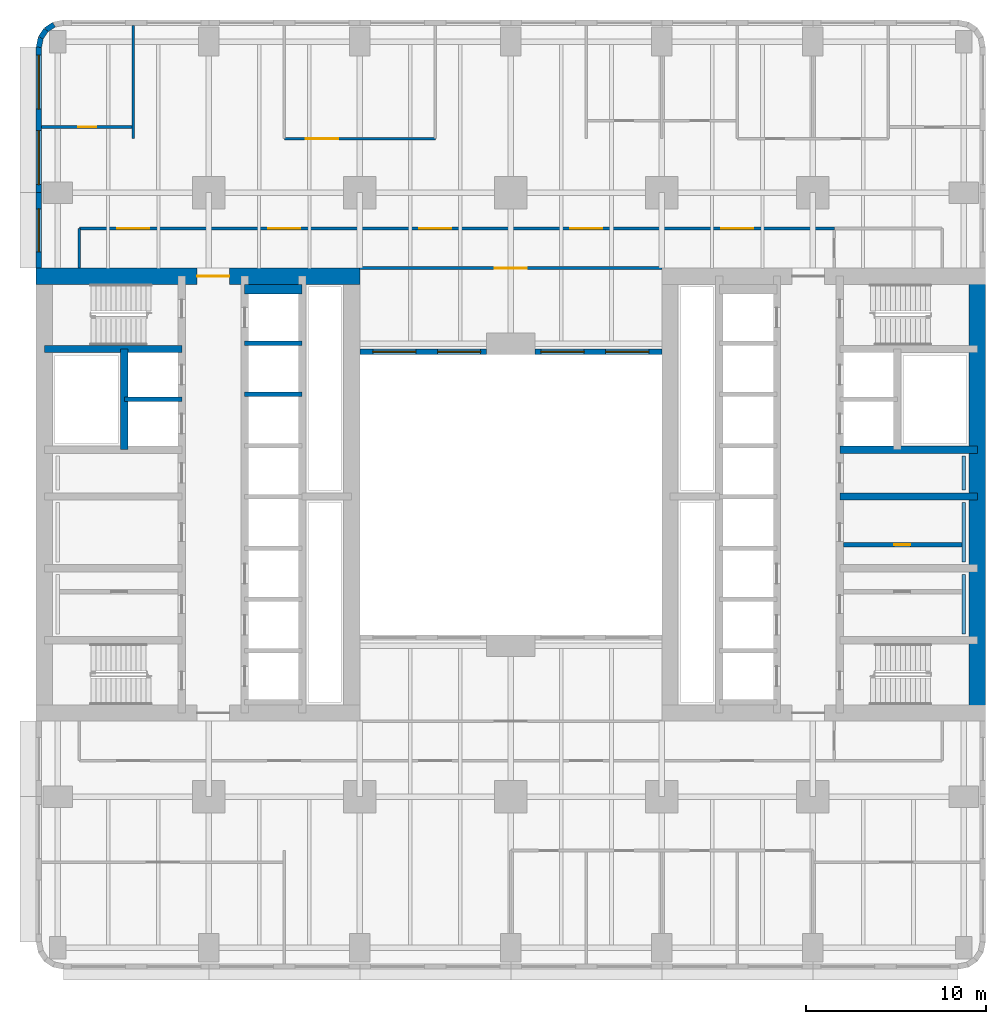
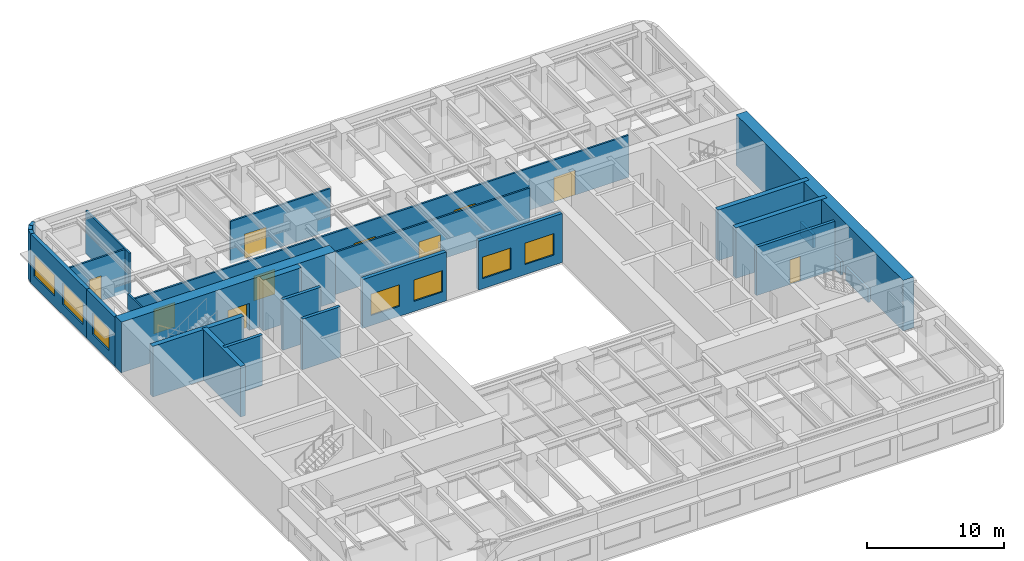
# One storey, part 6 of 14: 27 walls, 10 doors, 7 windows, 17 openings.
"""IFC4 building model written with IfcOpenShell, lengths in metres."""

import ifcopenshell
import ifcopenshell.guid

model = None  # the IFC model being written
_history = None  # IfcOwnerHistory: only IFC2X3 demands one
_inside = {}  # id of a spatial element -> (the spatial element, [elements in it])
_under = {}  # id of a project, library or spatial element -> (it, [spatial elements below it])
_declared = {}  # id of a project -> (the project, [libraries it declares])
_typed = {}  # id of a type object -> (the type object, [elements of that type])
_made_of = {}  # id of a material, layer set ... -> (it, [elements and type objects made of it])


def new_model(schema):
    """Start an empty IFC model of exactly this schema.

    Asked for "IFC4X3", IfcOpenShell would pick the latest addendum, in which some entities
    have other attributes; the version numbers below select the first issue.
    IFC2X3 requires an IfcOwnerHistory on every rooted entity: one is made here for all.
    """
    global model, _history
    if schema == "IFC4X3":
        model = ifcopenshell.file(schema_version=(4, 3, 0, 0))
    else:
        model = ifcopenshell.file(schema=schema)
    _inside.clear()
    _under.clear()
    _declared.clear()
    _typed.clear()
    _made_of.clear()
    _history = None
    if model.schema == "IFC2X3":
        org = make("IfcOrganization", Name="unknown")
        user = make(
            "IfcPersonAndOrganization",
            ThePerson=make("IfcPerson", FamilyName="unknown"),
            TheOrganization=org,
        )
        app = make(
            "IfcApplication",
            ApplicationDeveloper=org,
            Version="unknown",
            ApplicationFullName="unknown",
            ApplicationIdentifier="unknown",
        )
        _history = make(
            "IfcOwnerHistory",
            OwningUser=user,
            OwningApplication=app,
            ChangeAction="ADDED",
            CreationDate=0,
        )
    return model


def make(cls, **values):
    """One entity of the class cls with the attributes given. An attribute that is None is left unset."""
    return model.create_entity(
        cls, **{name: value for name, value in values.items() if value is not None}
    )


def rooted(cls, **values):
    """An entity with a GlobalId (a new one), such as an element, a storey or a relation."""
    return make(cls, GlobalId=ifcopenshell.guid.new(), OwnerHistory=_history, **values)


def si_unit(unit_type, name, prefix=None):
    """IfcSIUnit, for example si_unit("LENGTHUNIT", "METRE", prefix="MILLI")."""
    return make("IfcSIUnit", UnitType=unit_type, Prefix=prefix, Name=name)


def assignment(units):
    """IfcUnitAssignment: the units of a project."""
    return None if units is None else make("IfcUnitAssignment", Units=units)


def point(xyz):
    """IfcCartesianPoint."""
    return None if xyz is None else make("IfcCartesianPoint", Coordinates=xyz)


def direction(xyz):
    """IfcDirection."""
    return None if xyz is None else make("IfcDirection", DirectionRatios=xyz)


def frame(location, z_axis=None, x_axis=None):
    """IfcAxis2Placement3D, a coordinate frame: its origin and axes. An axis left out is left unset."""
    return make(
        "IfcAxis2Placement3D",
        Location=point(location),
        Axis=direction(z_axis),
        RefDirection=direction(x_axis),
    )


def frame_2d(location, x_axis=None):
    """IfcAxis2Placement2D, a coordinate frame in the plane: its origin and x axis."""
    return make(
        "IfcAxis2Placement2D", Location=point(location), RefDirection=direction(x_axis)
    )


def origin():
    """The frame at (0, 0, 0) with its axes left unset."""
    return frame((0.0, 0.0, 0.0))


def place(relative_to, where):
    """IfcLocalPlacement: puts the frame where relative to a parent placement (None: the world)."""
    return make(
        "IfcLocalPlacement", PlacementRelTo=relative_to, RelativePlacement=where
    )


def context(
    kind, dimensions, precision=None, world=None, true_north=None, identifier=None
):
    """IfcGeometricRepresentationContext, for example the 3D "Model" context."""
    return make(
        "IfcGeometricRepresentationContext",
        ContextIdentifier=identifier,
        ContextType=kind,
        CoordinateSpaceDimension=dimensions,
        Precision=precision,
        WorldCoordinateSystem=world,
        TrueNorth=true_north,
    )


def subcontext(parent, identifier, kind, view, scale=None):
    """IfcGeometricRepresentationSubContext, for example "Body" below "Model"."""
    return make(
        "IfcGeometricRepresentationSubContext",
        ContextIdentifier=identifier,
        ContextType=kind,
        ParentContext=parent,
        TargetScale=scale,
        TargetView=view,
    )


def project(units=None, contexts=None):
    """IfcProject with its units and contexts."""
    return rooted(
        "IfcProject",
        Name="project",
        RepresentationContexts=contexts,
        UnitsInContext=assignment(units),
    )


def spatial(cls, under=None, at=None, **own):
    """A site, building, storey or space (cls), placed at a placement, below another one or the project."""
    s = rooted(cls, ObjectPlacement=at, **own)
    if under is not None:
        _under.setdefault(under.id(), (under, []))[1].append(s)
    return s


def profile(cls, at=None, kind="AREA", **sizes):
    """A parametric profile (cls). Its sizes go by their IFC names, for example OverallWidth=200.0."""
    return make(cls, ProfileType=kind, Position=at, **sizes)


def rectangle(**sizes):
    """IfcRectangleProfileDef."""
    return profile("IfcRectangleProfileDef", **sizes)


def extrude(swept, where, along, depth):
    """IfcExtrudedAreaSolid: the profile swept, set in the frame where, extruded along a direction by depth."""
    return make(
        "IfcExtrudedAreaSolid",
        SweptArea=swept,
        Position=where,
        ExtrudedDirection=direction(along),
        Depth=depth,
    )


def shape(context_of_items, identifier, shape_type, items):
    """IfcShapeRepresentation: the items that make up one representation, for example the "Body"."""
    return make(
        "IfcShapeRepresentation",
        ContextOfItems=context_of_items,
        RepresentationIdentifier=identifier,
        RepresentationType=shape_type,
        Items=items,
    )


def material(Name=None, Category=None):
    """IfcMaterial."""
    return make("IfcMaterial", Name=Name, Category=Category)


def layer(
    of_material, thickness, ventilated=None, Name=None, Category=None, Priority=None
):
    """IfcMaterialLayer: one layer of a wall or slab, of a material (None: an air gap)."""
    return make(
        "IfcMaterialLayer",
        Material=of_material,
        LayerThickness=thickness,
        IsVentilated=ventilated,
        Name=Name,
        Category=Category,
        Priority=Priority,
    )


def layer_set(layers, Name=None):
    """IfcMaterialLayerSet."""
    return make("IfcMaterialLayerSet", MaterialLayers=layers, LayerSetName=Name)


def made_of(thing, what):
    """Note that an element or type object is made of a material, layer set ...; save() writes the relation."""
    if what is not None:
        _made_of.setdefault(what.id(), (what, []))[1].append(thing)
    return thing


def type_object(cls, material=None, **own):
    """A type object (cls), such as IfcWallType, which elements share."""
    return made_of(rooted(cls, **own), material)


def element(
    cls,
    number,
    at=None,
    inside=None,
    cuts=None,
    type_object=None,
    material=None,
    context=None,
    identifier="Body",
    shape_type=None,
    held_by="IfcProductDefinitionShape",
    body=None,
    shapes=None,
    **own,
):
    """One element of the class cls, such as IfcWall. Its Tag is "e" and its number.

    at: its placement. inside: the storey or other place that contains it. cuts: it is an
    opening in that element (IfcRelVoidsElement). A single representation is given by context,
    identifier, shape_type and body (its items); several are given by shapes. held_by: the class
    of the entity that holds the representations. save() writes the other relations.
    """
    e = rooted(cls, Tag="e%d" % number, ObjectPlacement=at, **own)
    if body is not None:
        shapes = [shape(context, identifier, shape_type, body)]
    if shapes is not None:
        e.Representation = make(held_by, Representations=shapes)
    if inside is not None:
        _inside.setdefault(inside.id(), (inside, []))[1].append(e)
    if cuts is not None:
        rooted(
            "IfcRelVoidsElement", RelatingBuildingElement=cuts, RelatedOpeningElement=e
        )
    if type_object is not None:
        _typed.setdefault(type_object.id(), (type_object, []))[1].append(e)
    return made_of(e, material)


def fill(opening, filler):
    """IfcRelFillsElement: the door or window that sits in an opening."""
    return rooted(
        "IfcRelFillsElement",
        RelatingOpeningElement=opening,
        RelatedBuildingElement=filler,
    )


def aggregate(whole, parts):
    """IfcRelAggregates: a whole, such as a stair, and the parts it consists of."""
    return rooted("IfcRelAggregates", RelatingObject=whole, RelatedObjects=parts)


def save(model, path):
    """Write the relations noted so far, then the file.

    IfcRelAggregates (storeys below a building ...), IfcRelContainedInSpatialStructure (elements
    in a storey), IfcRelDefinesByType, IfcRelAssociatesMaterial and IfcRelDeclares: one each for
    every whole, place, type object, material and project.
    """
    for whole, parts in _under.values():
        aggregate(whole, parts)
    for where, things in _inside.values():
        rooted(
            "IfcRelContainedInSpatialStructure",
            RelatedElements=things,
            RelatingStructure=where,
        )
    for kind, things in _typed.values():
        rooted("IfcRelDefinesByType", RelatedObjects=things, RelatingType=kind)
    for what, things in _made_of.values():
        rooted("IfcRelAssociatesMaterial", RelatedObjects=things, RelatingMaterial=what)
    for by, libraries in _declared.values():
        rooted("IfcRelDeclares", RelatingContext=by, RelatedDefinitions=libraries)
    model.write(path)


model = new_model("IFC4")

# Units and contexts
model_context = context("Model", 3, precision=1e-05, world=origin(), true_north=direction((0.0, 1.0)))
body_context = subcontext(model_context, "Body", "Model", "MODEL_VIEW")
ifc_project = project(units=[si_unit("LENGTHUNIT", "METRE"), si_unit("AREAUNIT", "SQUARE_METRE"), si_unit("VOLUMEUNIT", "CUBIC_METRE"), si_unit("PLANEANGLEUNIT", "RADIAN"), si_unit("MASSUNIT", "GRAM", prefix="KILO")], contexts=[model_context])

# Site, building, storey
site_placement = place(None, origin())
site = spatial("IfcSite", under=ifc_project, at=site_placement, CompositionType="ELEMENT")
building_placement = place(site_placement, origin())
building = spatial("IfcBuilding", under=site, at=building_placement, Name="Claustro Exchange Tower", CompositionType="ELEMENT")
storey_placement = place(building_placement, frame((0.0, 0.0, 36.89990234375)))
storey = spatial("IfcBuildingStorey", under=building, at=storey_placement, Name="L08", CompositionType="ELEMENT", Elevation=36.89990234375)

# Wall, opening, door
ifc_material_1 = material(Name="Gypsum board on steel studs", Category="steel")
ifc_layer_1 = layer(ifc_material_1, 0.14990234375)
ifc_layer_set_1 = layer_set([ifc_layer_1], Name="Gypsum board on steel studs")
wall_type_1 = type_object("IfcWallType", Name="P1 150 plasterboard partition", PredefinedType="PARTITIONING", material=ifc_layer_set_1)
wall_1_placement = place(storey_placement, frame((-0.902099609375, 45.64990234375, 0.0), z_axis=(0.0, 0.0, 1.0), x_axis=(1.0, 0.0, 0.0)))
wall_1 = element("IfcWall", 1, at=wall_1_placement, inside=storey, type_object=wall_type_1, Name="Partition P1 L08", PredefinedType="PARTITIONING", context=body_context, shape_type="SweptSolid", body=[
    extrude(rectangle(XDim=5.028076171875, YDim=0.14990234375, at=frame_2d((2.51416015625, 0.0))), origin(), (0.0, 0.0, 1.0), 3.840087890625),
])
opening_1_placement = place(wall_1_placement, frame((2.052001953125, 0.0, 0.0)))
opening_1 = element("IfcOpeningElement", 2, at=opening_1_placement, cuts=wall_1, Name="Opening D1", PredefinedType="OPENING", context=body_context, shape_type="SweptSolid", body=[
    extrude(rectangle(XDim=1.0, YDim=2.199951171875, at=frame_2d((0.5, 1.10009765625))), frame((0.0, 0.0849609375, 0.0), z_axis=(0.0, -1.0, 0.0), x_axis=(1.0, 0.0, 0.0)), (0.0, 0.0, 1.0), 0.169921875),
])
ifc_material_2 = material(Name="Timber door, oak veneer", Category="wood")
door_type_1 = type_object("IfcDoorType", Name="D1 1000 x 2200 single door", OperationType="SINGLE_SWING_LEFT", PredefinedType="DOOR", material=ifc_material_2)
door_1_placement = place(opening_1_placement, origin())
door_1 = element("IfcDoor", 3, at=door_1_placement, inside=storey, type_object=door_type_1, Name="Door D1 L08", OperationType="SINGLE_SWING_RIGHT", OverallHeight=2.199951171875, OverallWidth=1.0, PredefinedType="DOOR", context=body_context, shape_type="SweptSolid", body=[
    extrude(rectangle(XDim=1.0, YDim=2.199951171875, at=frame_2d((0.5, 1.10009765625))), frame((0.0, 0.02490234375, 0.0), z_axis=(0.0, -1.0, 0.0), x_axis=(1.0, 0.0, 0.0)), (0.0, 0.0, 1.0), 0.050048828125),
])
fill(opening_1, door_1)

# Wall
wall_2_placement = place(storey_placement, frame((4.199951171875, 45.0, 0.0), z_axis=(0.0, 0.0, 1.0), x_axis=(0.0, 1.0, 0.0)))
element("IfcWall", 4, at=wall_2_placement, inside=storey, type_object=wall_type_1, Name="Partition P1 L08", PredefinedType="PARTITIONING", context=body_context, shape_type="SweptSolid", body=[
    extrude(rectangle(XDim=6.302001953125, YDim=0.14990234375, at=frame_2d((3.15087890625, 0.0))), origin(), (0.0, 0.0, 1.0), 3.840087890625),
])

# Wall, opening, door
wall_3_placement = place(storey_placement, frame((12.60009765625, 45.0, 0.0), z_axis=(0.0, 0.0, 1.0), x_axis=(1.0, 0.0, 0.0)))
wall_3 = element("IfcWall", 5, at=wall_3_placement, inside=storey, type_object=wall_type_1, Name="Partition P1 L08", PredefinedType="PARTITIONING", context=body_context, shape_type="SweptSolid", body=[
    extrude(rectangle(XDim=8.39990234375, YDim=0.14990234375, at=frame_2d((4.199951171875, 0.0))), origin(), (0.0, 0.0, 1.0), 3.739990234375),
])
opening_2_placement = place(wall_3_placement, frame((1.199951171875, 0.0, 0.0)))
opening_2 = element("IfcOpeningElement", 6, at=opening_2_placement, cuts=wall_3, Name="Opening D2", PredefinedType="OPENING", context=body_context, shape_type="SweptSolid", body=[
    extrude(rectangle(XDim=1.800048828125, YDim=2.199951171875, at=frame_2d((0.89990234375, 1.10009765625))), frame((0.0, 0.0849609375, 0.0), z_axis=(0.0, -1.0, 0.0), x_axis=(1.0, 0.0, 0.0)), (0.0, 0.0, 1.0), 0.169921875),
])
ifc_material_3 = material(Name="Timber door, oak veneer", Category="wood")
door_type_2 = type_object("IfcDoorType", Name="D2 1800 x 2200 double door", OperationType="DOUBLE_DOOR_SINGLE_SWING", PredefinedType="DOOR", material=ifc_material_3)
door_2_placement = place(opening_2_placement, origin())
door_2 = element("IfcDoor", 7, at=door_2_placement, inside=storey, type_object=door_type_2, Name="Double door D2 L08", OperationType="DOUBLE_DOOR_SINGLE_SWING", OverallHeight=2.199951171875, OverallWidth=1.800048828125, PredefinedType="DOOR", context=body_context, shape_type="SweptSolid", body=[
    extrude(rectangle(XDim=1.800048828125, YDim=2.199951171875, at=frame_2d((0.89990234375, 1.10009765625))), frame((0.0, 0.02490234375, 0.0), z_axis=(0.0, -1.0, 0.0), x_axis=(1.0, 0.0, 0.0)), (0.0, 0.0, 1.0), 0.050048828125),
])
fill(opening_2, door_2)

# Wall, openings, doors
wall_4_placement = place(storey_placement, frame((1.199951171875, 40.0, 0.0), z_axis=(0.0, 0.0, 1.0), x_axis=(1.0, 0.0, 0.0)))
wall_4 = element("IfcWall", 8, at=wall_4_placement, inside=storey, type_object=wall_type_1, Name="Partition P1 L08", PredefinedType="PARTITIONING", context=body_context, shape_type="SweptSolid", body=[
    extrude(rectangle(XDim=42.001953125, YDim=0.14990234375, at=frame_2d((21.0009765625, 0.0))), origin(), (0.0, 0.0, 1.0), 3.739990234375),
])
opening_3_placement = place(wall_4_placement, frame((2.10009765625, 0.0, 0.0)))
opening_3 = element("IfcOpeningElement", 9, at=opening_3_placement, cuts=wall_4, Name="Opening D2", PredefinedType="OPENING", context=body_context, shape_type="SweptSolid", body=[
    extrude(rectangle(XDim=1.800048828125, YDim=2.199951171875, at=frame_2d((0.89990234375, 1.10009765625))), frame((0.0, 0.0849609375, 0.0), z_axis=(0.0, -1.0, 0.0), x_axis=(1.0, 0.0, 0.0)), (0.0, 0.0, 1.0), 0.169921875),
])
opening_4_placement = place(wall_4_placement, frame((10.5, 0.0, 0.0)))
opening_4 = element("IfcOpeningElement", 10, at=opening_4_placement, cuts=wall_4, Name="Opening D2", PredefinedType="OPENING", context=body_context, shape_type="SweptSolid", body=[
    extrude(rectangle(XDim=1.800048828125, YDim=2.199951171875, at=frame_2d((0.89990234375, 1.10009765625))), frame((0.0, 0.0849609375, 0.0), z_axis=(0.0, -1.0, 0.0), x_axis=(1.0, 0.0, 0.0)), (0.0, 0.0, 1.0), 0.169921875),
])
opening_5_placement = place(wall_4_placement, frame((18.89990234375, 0.0, 0.0)))
opening_5 = element("IfcOpeningElement", 11, at=opening_5_placement, cuts=wall_4, Name="Opening D2", PredefinedType="OPENING", context=body_context, shape_type="SweptSolid", body=[
    extrude(rectangle(XDim=1.800048828125, YDim=2.199951171875, at=frame_2d((0.89990234375, 1.10009765625))), frame((0.0, 0.0849609375, 0.0), z_axis=(0.0, -1.0, 0.0), x_axis=(1.0, 0.0, 0.0)), (0.0, 0.0, 1.0), 0.169921875),
])
opening_6_placement = place(wall_4_placement, frame((27.300048828125, 0.0, 0.0)))
opening_6 = element("IfcOpeningElement", 12, at=opening_6_placement, cuts=wall_4, Name="Opening D2", PredefinedType="OPENING", context=body_context, shape_type="SweptSolid", body=[
    extrude(rectangle(XDim=1.800048828125, YDim=2.199951171875, at=frame_2d((0.89990234375, 1.10009765625))), frame((0.0, 0.0849609375, 0.0), z_axis=(0.0, -1.0, 0.0), x_axis=(1.0, 0.0, 0.0)), (0.0, 0.0, 1.0), 0.169921875),
])
opening_7_placement = place(wall_4_placement, frame((35.699951171875, 0.0, 0.0)))
opening_7 = element("IfcOpeningElement", 13, at=opening_7_placement, cuts=wall_4, Name="Opening D2", PredefinedType="OPENING", context=body_context, shape_type="SweptSolid", body=[
    extrude(rectangle(XDim=1.800048828125, YDim=2.199951171875, at=frame_2d((0.89990234375, 1.10009765625))), frame((0.0, 0.0849609375, 0.0), z_axis=(0.0, -1.0, 0.0), x_axis=(1.0, 0.0, 0.0)), (0.0, 0.0, 1.0), 0.169921875),
])
door_3_placement = place(opening_3_placement, origin())
door_3 = element("IfcDoor", 14, at=door_3_placement, inside=storey, type_object=door_type_2, Name="Double door D2 L08", OperationType="DOUBLE_DOOR_SINGLE_SWING", OverallHeight=2.199951171875, OverallWidth=1.800048828125, PredefinedType="DOOR", context=body_context, shape_type="SweptSolid", body=[
    extrude(rectangle(XDim=1.800048828125, YDim=2.199951171875, at=frame_2d((0.89990234375, 1.10009765625))), frame((0.0, 0.02490234375, 0.0), z_axis=(0.0, -1.0, 0.0), x_axis=(1.0, 0.0, 0.0)), (0.0, 0.0, 1.0), 0.050048828125),
])
fill(opening_3, door_3)
door_4_placement = place(opening_4_placement, origin())
door_4 = element("IfcDoor", 15, at=door_4_placement, inside=storey, type_object=door_type_2, Name="Double door D2 L08", OperationType="DOUBLE_DOOR_SINGLE_SWING", OverallHeight=2.199951171875, OverallWidth=1.800048828125, PredefinedType="DOOR", context=body_context, shape_type="SweptSolid", body=[
    extrude(rectangle(XDim=1.800048828125, YDim=2.199951171875, at=frame_2d((0.89990234375, 1.10009765625))), frame((0.0, 0.02490234375, 0.0), z_axis=(0.0, -1.0, 0.0), x_axis=(1.0, 0.0, 0.0)), (0.0, 0.0, 1.0), 0.050048828125),
])
fill(opening_4, door_4)
door_5_placement = place(opening_5_placement, origin())
door_5 = element("IfcDoor", 16, at=door_5_placement, inside=storey, type_object=door_type_2, Name="Double door D2 L08", OperationType="DOUBLE_DOOR_SINGLE_SWING", OverallHeight=2.199951171875, OverallWidth=1.800048828125, PredefinedType="DOOR", context=body_context, shape_type="SweptSolid", body=[
    extrude(rectangle(XDim=1.800048828125, YDim=2.199951171875, at=frame_2d((0.89990234375, 1.10009765625))), frame((0.0, 0.02490234375, 0.0), z_axis=(0.0, -1.0, 0.0), x_axis=(1.0, 0.0, 0.0)), (0.0, 0.0, 1.0), 0.050048828125),
])
fill(opening_5, door_5)
door_6_placement = place(opening_6_placement, origin())
door_6 = element("IfcDoor", 17, at=door_6_placement, inside=storey, type_object=door_type_2, Name="Double door D2 L08", OperationType="DOUBLE_DOOR_SINGLE_SWING", OverallHeight=2.199951171875, OverallWidth=1.800048828125, PredefinedType="DOOR", context=body_context, shape_type="SweptSolid", body=[
    extrude(rectangle(XDim=1.800048828125, YDim=2.199951171875, at=frame_2d((0.89990234375, 1.10009765625))), frame((0.0, 0.02490234375, 0.0), z_axis=(0.0, -1.0, 0.0), x_axis=(1.0, 0.0, 0.0)), (0.0, 0.0, 1.0), 0.050048828125),
])
fill(opening_6, door_6)
door_7_placement = place(opening_7_placement, origin())
door_7 = element("IfcDoor", 18, at=door_7_placement, inside=storey, type_object=door_type_2, Name="Double door D2 L08", OperationType="DOUBLE_DOOR_SINGLE_SWING", OverallHeight=2.199951171875, OverallWidth=1.800048828125, PredefinedType="DOOR", context=body_context, shape_type="SweptSolid", body=[
    extrude(rectangle(XDim=1.800048828125, YDim=2.199951171875, at=frame_2d((0.89990234375, 1.10009765625))), frame((0.0, 0.02490234375, 0.0), z_axis=(0.0, -1.0, 0.0), x_axis=(1.0, 0.0, 0.0)), (0.0, 0.0, 1.0), 0.050048828125),
])
fill(opening_7, door_7)

# Wall
wall_5_placement = place(storey_placement, frame((1.199951171875, 37.800048828125, 0.0), z_axis=(0.0, 0.0, 1.0), x_axis=(0.0, 1.0, 0.0)))
element("IfcWall", 19, at=wall_5_placement, inside=storey, type_object=wall_type_1, Name="Partition P1 L08", PredefinedType="PARTITIONING", context=body_context, shape_type="SweptSolid", body=[
    extrude(rectangle(XDim=2.199951171875, YDim=0.14990234375, at=frame_2d((1.10009765625, 0.0))), origin(), (0.0, 0.0, 1.0), 4.340087890625),
])

# Wall, opening, door
wall_6_placement = place(storey_placement, frame((16.798095703125, 37.800048828125, 0.0), z_axis=(0.0, 0.0, 1.0), x_axis=(1.0, 0.0, 0.0)))
wall_6 = element("IfcWall", 20, at=wall_6_placement, inside=storey, type_object=wall_type_1, Name="Partition P1 L08", PredefinedType="PARTITIONING", context=body_context, shape_type="SweptSolid", body=[
    extrude(rectangle(XDim=16.803955078125, YDim=0.14990234375, at=frame_2d((8.40185546875, 0.0))), origin(), (0.0, 0.0, 1.0), 3.739990234375),
])
opening_8_placement = place(wall_6_placement, frame((7.501953125, 0.0, 0.0)))
opening_8 = element("IfcOpeningElement", 21, at=opening_8_placement, cuts=wall_6, Name="Opening D2", PredefinedType="OPENING", context=body_context, shape_type="SweptSolid", body=[
    extrude(rectangle(XDim=1.800048828125, YDim=2.199951171875, at=frame_2d((0.89990234375, 1.10009765625))), frame((0.0, 0.0849609375, 0.0), z_axis=(0.0, -1.0, 0.0), x_axis=(1.0, 0.0, 0.0)), (0.0, 0.0, 1.0), 0.169921875),
])
door_8_placement = place(opening_8_placement, origin())
door_8 = element("IfcDoor", 22, at=door_8_placement, inside=storey, type_object=door_type_2, Name="Double door D2 L08", OperationType="DOUBLE_DOOR_SINGLE_SWING", OverallHeight=2.199951171875, OverallWidth=1.800048828125, PredefinedType="DOOR", context=body_context, shape_type="SweptSolid", body=[
    extrude(rectangle(XDim=1.800048828125, YDim=2.199951171875, at=frame_2d((0.89990234375, 1.10009765625))), frame((0.0, 0.02490234375, 0.0), z_axis=(0.0, -1.0, 0.0), x_axis=(1.0, 0.0, 0.0)), (0.0, 0.0, 1.0), 0.050048828125),
])
fill(opening_8, door_8)

ifc_material_4 = material(Name="Concrete blockwork, rendered", Category="masonry")
ifc_layer_2 = layer(ifc_material_4, 0.25)
ifc_layer_set_2 = layer_set([ifc_layer_2], Name="Concrete blockwork, rendered")
wall_type_2 = type_object("IfcWallType", Name="P4 250 blockwork wall", PredefinedType="PARTITIONING", material=ifc_layer_set_2)
wall_7_placement = place(storey_placement, frame((43.699951171875, 22.39990234375, 0.0), z_axis=(0.0, 0.0, 1.0), x_axis=(1.0, 0.0, 0.0)))
wall_7 = element("IfcWall", 23, at=wall_7_placement, inside=storey, type_object=wall_type_2, Name="Partition P4 L08", PredefinedType="PARTITIONING", context=body_context, shape_type="SweptSolid", body=[
    extrude(rectangle(XDim=6.60009765625, YDim=0.25, at=frame_2d((3.300048828125, 0.0))), origin(), (0.0, 0.0, 1.0), 4.300048828125),
])
opening_9_placement = place(wall_7_placement, frame((2.824951171875, 0.0, 0.0)))
opening_9 = element("IfcOpeningElement", 24, at=opening_9_placement, cuts=wall_7, Name="Opening D5", PredefinedType="OPENING", context=body_context, shape_type="SweptSolid", body=[
    extrude(rectangle(XDim=0.89990234375, YDim=2.199951171875, at=frame_2d((0.449951171875, 1.10009765625))), frame((0.0, 0.135009765625, 0.0), z_axis=(0.0, -1.0, 0.0), x_axis=(1.0, 0.0, 0.0)), (0.0, 0.0, 1.0), 0.27001953125),
])
ifc_material_5 = material(Name="Steel door, painted", Category="steel")
door_type_3 = type_object("IfcDoorType", Name="D5 900 x 2200 store door", OperationType="SINGLE_SWING_LEFT", PredefinedType="DOOR", material=ifc_material_5)
door_9_placement = place(opening_9_placement, frame((0.89990234375, 0.0, 0.0), z_axis=(0.0, 0.0, 1.0), x_axis=(-1.0, 0.0, 0.0)))
door_9 = element("IfcDoor", 25, at=door_9_placement, inside=storey, type_object=door_type_3, Name="Store door D5 L08", OperationType="SINGLE_SWING_LEFT", OverallHeight=2.199951171875, OverallWidth=0.89990234375, PredefinedType="DOOR", context=body_context, shape_type="SweptSolid", body=[
    extrude(rectangle(XDim=0.89990234375, YDim=2.199951171875, at=frame_2d((0.449951171875, 1.10009765625))), frame((0.0, 0.02490234375, 0.0), z_axis=(0.0, -1.0, 0.0), x_axis=(1.0, 0.0, 0.0)), (0.0, 0.0, 1.0), 0.050048828125),
])
fill(opening_9, door_9)

# Wall, opening, window
ifc_material_6 = material(Name="Concrete HA-40 (C40/50), precast, white cement, acid-etched", Category="concrete")
ifc_layer_3 = layer(ifc_material_6, 0.300048828125)
ifc_layer_set_3 = layer_set([ifc_layer_3], Name="Concrete HA-40 (C40/50), precast, white cement, acid-etched")
wall_type_3 = type_object("IfcWallType", Name="PC1 300 precast concrete pier panel", PredefinedType="SOLIDWALL", material=ifc_layer_set_3)
wall_8_placement = place(storey_placement, frame((-1.050048828125, 37.800048828125, 0.0), z_axis=(0.0, 0.0, 1.0), x_axis=(0.0, 1.0, 0.0)))
wall_8 = element("IfcWall", 26, at=wall_8_placement, inside=storey, type_object=wall_type_3, Name="Precast pier panel PC1 L08", PredefinedType="SOLIDWALL", context=body_context, shape_type="SweptSolid", body=[
    extrude(rectangle(XDim=4.199951171875, YDim=0.300048828125, at=frame_2d((2.10009765625, 0.0))), origin(), (0.0, 0.0, 1.0), 4.340087890625),
])
opening_10_placement = place(wall_8_placement, frame((0.89990234375, 0.0, 0.89990234375)))
opening_10 = element("IfcOpeningElement", 27, at=opening_10_placement, cuts=wall_8, Name="Opening W2", PredefinedType="OPENING", context=body_context, shape_type="SweptSolid", body=[
    extrude(rectangle(XDim=2.39990234375, YDim=1.89990234375, at=frame_2d((1.199951171875, 0.949951171875))), frame((0.0, 0.159912109375, 0.0), z_axis=(0.0, -1.0, 0.0), x_axis=(1.0, 0.0, 0.0)), (0.0, 0.0, 1.0), 0.320068359375),
])
ifc_material_7 = material(Name="Aluminium frame, clear double glazing", Category="aluminium")
window_type_1 = type_object("IfcWindowType", Name="W2 2400 x 1900 window", PartitioningType="SINGLE_PANEL", PredefinedType="WINDOW", material=ifc_material_7)
window_1_placement = place(opening_10_placement, origin())
window_1 = element("IfcWindow", 28, at=window_1_placement, inside=storey, type_object=window_type_1, Name="Window W2 L08", OverallHeight=1.89990234375, OverallWidth=2.39990234375, PartitioningType="SINGLE_PANEL", PredefinedType="WINDOW", context=body_context, shape_type="SweptSolid", body=[
    extrude(rectangle(XDim=2.39990234375, YDim=1.89990234375, at=frame_2d((1.199951171875, 0.949951171875))), frame((0.0, 0.030029296875, 0.0), z_axis=(0.0, -1.0, 0.0), x_axis=(1.0, 0.0, 0.0)), (0.0, 0.0, 1.0), 0.06005859375),
])
fill(opening_10, window_1)

# Wall, openings, windows
wall_9_placement = place(storey_placement, frame((-1.050048828125, 42.0, 0.0), z_axis=(0.0, 0.0, 1.0), x_axis=(0.0, 1.0, 0.0)))
wall_9 = element("IfcWall", 29, at=wall_9_placement, inside=storey, type_object=wall_type_3, Name="Precast pier panel PC1 L08", PredefinedType="SOLIDWALL", context=body_context, shape_type="SweptSolid", body=[
    extrude(rectangle(XDim=8.085205078125, YDim=0.300048828125, at=frame_2d((4.04248046875, 0.0))), origin(), (0.0, 0.0, 1.0), 4.340087890625),
])
opening_11_placement = place(wall_9_placement, frame((0.442626953125, 0.0, 0.89990234375)))
opening_11 = element("IfcOpeningElement", 30, at=opening_11_placement, cuts=wall_9, Name="Opening W1", PredefinedType="OPENING", context=body_context, shape_type="SweptSolid", body=[
    extrude(rectangle(XDim=3.0, YDim=1.89990234375, at=frame_2d((1.5, 0.949951171875))), frame((0.0, 0.159912109375, 0.0), z_axis=(0.0, -1.0, 0.0), x_axis=(1.0, 0.0, 0.0)), (0.0, 0.0, 1.0), 0.320068359375),
])
opening_12_placement = place(wall_9_placement, frame((4.642578125, 0.0, 0.89990234375)))
opening_12 = element("IfcOpeningElement", 31, at=opening_12_placement, cuts=wall_9, Name="Opening W1", PredefinedType="OPENING", context=body_context, shape_type="SweptSolid", body=[
    extrude(rectangle(XDim=3.0, YDim=1.89990234375, at=frame_2d((1.5, 0.949951171875))), frame((0.0, 0.159912109375, 0.0), z_axis=(0.0, -1.0, 0.0), x_axis=(1.0, 0.0, 0.0)), (0.0, 0.0, 1.0), 0.320068359375),
])
ifc_material_8 = material(Name="Aluminium frame, clear double glazing", Category="aluminium")
window_type_2 = type_object("IfcWindowType", Name="W1 3000 x 1900 window", PartitioningType="SINGLE_PANEL", PredefinedType="WINDOW", material=ifc_material_8)
window_2_placement = place(opening_11_placement, origin())
window_2 = element("IfcWindow", 32, at=window_2_placement, inside=storey, type_object=window_type_2, Name="Window W1 L08", OverallHeight=1.89990234375, OverallWidth=3.0, PartitioningType="SINGLE_PANEL", PredefinedType="WINDOW", context=body_context, shape_type="SweptSolid", body=[
    extrude(rectangle(XDim=3.0, YDim=1.89990234375, at=frame_2d((1.5, 0.949951171875))), frame((0.0, 0.030029296875, 0.0), z_axis=(0.0, -1.0, 0.0), x_axis=(1.0, 0.0, 0.0)), (0.0, 0.0, 1.0), 0.06005859375),
])
fill(opening_11, window_2)
window_3_placement = place(opening_12_placement, origin())
window_3 = element("IfcWindow", 33, at=window_3_placement, inside=storey, type_object=window_type_2, Name="Window W1 L08", OverallHeight=1.89990234375, OverallWidth=3.0, PartitioningType="SINGLE_PANEL", PredefinedType="WINDOW", context=body_context, shape_type="SweptSolid", body=[
    extrude(rectangle(XDim=3.0, YDim=1.89990234375, at=frame_2d((1.5, 0.949951171875))), frame((0.0, 0.030029296875, 0.0), z_axis=(0.0, -1.0, 0.0), x_axis=(1.0, 0.0, 0.0)), (0.0, 0.0, 1.0), 0.06005859375),
])
fill(opening_12, window_3)

# Walls
wall_10_placement = place(storey_placement, frame((-1.050048828125, 50.085205078125, 0.0), z_axis=(0.0, 0.0, 1.0), x_axis=(0.195073962632, 0.980788534345, 0.0)))
element("IfcWall", 34, at=wall_10_placement, inside=storey, type_object=wall_type_3, Name="Precast pier panel PC1 L08", PredefinedType="SOLIDWALL", context=body_context, shape_type="SweptSolid", body=[
    extrude(rectangle(XDim=0.540771484375, YDim=0.300048828125, at=frame_2d((0.2705078125, 0.0))), origin(), (0.0, 0.0, 1.0), 4.340087890625),
])
for number, where, z_axis, x_axis, name in (
    (35, (-0.944580078125, 50.615478515625, 0.0), (0.0, 0.0, 1.0), (0.555557463938, 0.831478144188, 0.0), "Precast pier panel PC1 L08"),
    (36, (-0.652587890625, 51.052490234375, 0.0), (0.0, 0.0, 1.0), (0.831478144188, 0.555557463938, 0.0), "Precast pier panel PC1 L08"),
):
    element("IfcWall", number, at=place(storey_placement, frame(where, z_axis=z_axis, x_axis=x_axis)), inside=storey, type_object=wall_type_3, Name=name, PredefinedType="SOLIDWALL", context=body_context, shape_type="SweptSolid", body=[
        extrude(rectangle(XDim=0.525634765625, YDim=0.300048828125, at=frame_2d((0.2626953125, 0.0))), origin(), (0.0, 0.0, 1.0), 4.340087890625),
    ])

# Wall, openings, windows
wall_11_placement = place(storey_placement, frame((16.800048828125, 33.14990234375, 0.0), z_axis=(0.0, 0.0, 1.0), x_axis=(1.0, 0.0, 0.0)))
wall_11 = element("IfcWall", 37, at=wall_11_placement, inside=storey, type_object=wall_type_3, Name="Precast pier panel PC1 L08", PredefinedType="SOLIDWALL", context=body_context, shape_type="SweptSolid", body=[
    extrude(rectangle(XDim=7.050048828125, YDim=0.300048828125, at=frame_2d((3.52490234375, 0.0))), origin(), (0.0, 0.0, 1.0), 4.340087890625),
])
opening_13_placement = place(wall_11_placement, frame((0.72509765625, 0.0, 0.89990234375)))
opening_13 = element("IfcOpeningElement", 38, at=opening_13_placement, cuts=wall_11, Name="Opening W2", PredefinedType="OPENING", context=body_context, shape_type="SweptSolid", body=[
    extrude(rectangle(XDim=2.39990234375, YDim=1.89990234375, at=frame_2d((1.199951171875, 0.949951171875))), frame((0.0, 0.159912109375, 0.0), z_axis=(0.0, -1.0, 0.0), x_axis=(1.0, 0.0, 0.0)), (0.0, 0.0, 1.0), 0.320068359375),
])
opening_14_placement = place(wall_11_placement, frame((4.324951171875, 0.0, 0.89990234375)))
opening_14 = element("IfcOpeningElement", 39, at=opening_14_placement, cuts=wall_11, Name="Opening W2", PredefinedType="OPENING", context=body_context, shape_type="SweptSolid", body=[
    extrude(rectangle(XDim=2.39990234375, YDim=1.89990234375, at=frame_2d((1.199951171875, 0.949951171875))), frame((0.0, 0.159912109375, 0.0), z_axis=(0.0, -1.0, 0.0), x_axis=(1.0, 0.0, 0.0)), (0.0, 0.0, 1.0), 0.320068359375),
])
window_4_placement = place(opening_13_placement, origin())
window_4 = element("IfcWindow", 40, at=window_4_placement, inside=storey, type_object=window_type_1, Name="Window W2 L08", OverallHeight=1.89990234375, OverallWidth=2.39990234375, PartitioningType="SINGLE_PANEL", PredefinedType="WINDOW", context=body_context, shape_type="SweptSolid", body=[
    extrude(rectangle(XDim=2.39990234375, YDim=1.89990234375, at=frame_2d((1.199951171875, 0.949951171875))), frame((0.0, 0.030029296875, 0.0), z_axis=(0.0, -1.0, 0.0), x_axis=(1.0, 0.0, 0.0)), (0.0, 0.0, 1.0), 0.06005859375),
])
fill(opening_13, window_4)
window_5_placement = place(opening_14_placement, origin())
window_5 = element("IfcWindow", 41, at=window_5_placement, inside=storey, type_object=window_type_1, Name="Window W2 L08", OverallHeight=1.89990234375, OverallWidth=2.39990234375, PartitioningType="SINGLE_PANEL", PredefinedType="WINDOW", context=body_context, shape_type="SweptSolid", body=[
    extrude(rectangle(XDim=2.39990234375, YDim=1.89990234375, at=frame_2d((1.199951171875, 0.949951171875))), frame((0.0, 0.030029296875, 0.0), z_axis=(0.0, -1.0, 0.0), x_axis=(1.0, 0.0, 0.0)), (0.0, 0.0, 1.0), 0.06005859375),
])
fill(opening_14, window_5)

wall_12_placement = place(storey_placement, frame((26.550048828125, 33.14990234375, 0.0), z_axis=(0.0, 0.0, 1.0), x_axis=(1.0, 0.0, 0.0)))
wall_12 = element("IfcWall", 42, at=wall_12_placement, inside=storey, type_object=wall_type_3, Name="Precast pier panel PC1 L08", PredefinedType="SOLIDWALL", context=body_context, shape_type="SweptSolid", body=[
    extrude(rectangle(XDim=7.050048828125, YDim=0.300048828125, at=frame_2d((3.52490234375, 0.0))), origin(), (0.0, 0.0, 1.0), 4.340087890625),
])
opening_15_placement = place(wall_12_placement, frame((0.324951171875, 0.0, 0.89990234375)))
opening_15 = element("IfcOpeningElement", 43, at=opening_15_placement, cuts=wall_12, Name="Opening W2", PredefinedType="OPENING", context=body_context, shape_type="SweptSolid", body=[
    extrude(rectangle(XDim=2.39990234375, YDim=1.89990234375, at=frame_2d((1.199951171875, 0.949951171875))), frame((0.0, 0.159912109375, 0.0), z_axis=(0.0, -1.0, 0.0), x_axis=(1.0, 0.0, 0.0)), (0.0, 0.0, 1.0), 0.320068359375),
])
opening_16_placement = place(wall_12_placement, frame((3.925048828125, 0.0, 0.89990234375)))
opening_16 = element("IfcOpeningElement", 44, at=opening_16_placement, cuts=wall_12, Name="Opening W2", PredefinedType="OPENING", context=body_context, shape_type="SweptSolid", body=[
    extrude(rectangle(XDim=2.39990234375, YDim=1.89990234375, at=frame_2d((1.199951171875, 0.949951171875))), frame((0.0, 0.159912109375, 0.0), z_axis=(0.0, -1.0, 0.0), x_axis=(1.0, 0.0, 0.0)), (0.0, 0.0, 1.0), 0.320068359375),
])
window_6_placement = place(opening_15_placement, origin())
window_6 = element("IfcWindow", 45, at=window_6_placement, inside=storey, type_object=window_type_1, Name="Window W2 L08", OverallHeight=1.89990234375, OverallWidth=2.39990234375, PartitioningType="SINGLE_PANEL", PredefinedType="WINDOW", context=body_context, shape_type="SweptSolid", body=[
    extrude(rectangle(XDim=2.39990234375, YDim=1.89990234375, at=frame_2d((1.199951171875, 0.949951171875))), frame((0.0, 0.030029296875, 0.0), z_axis=(0.0, -1.0, 0.0), x_axis=(1.0, 0.0, 0.0)), (0.0, 0.0, 1.0), 0.06005859375),
])
fill(opening_15, window_6)
window_7_placement = place(opening_16_placement, origin())
window_7 = element("IfcWindow", 46, at=window_7_placement, inside=storey, type_object=window_type_1, Name="Window W2 L08", OverallHeight=1.89990234375, OverallWidth=2.39990234375, PartitioningType="SINGLE_PANEL", PredefinedType="WINDOW", context=body_context, shape_type="SweptSolid", body=[
    extrude(rectangle(XDim=2.39990234375, YDim=1.89990234375, at=frame_2d((1.199951171875, 0.949951171875))), frame((0.0, 0.030029296875, 0.0), z_axis=(0.0, -1.0, 0.0), x_axis=(1.0, 0.0, 0.0)), (0.0, 0.0, 1.0), 0.06005859375),
])
fill(opening_16, window_7)

# Walls
ifc_material_9 = material(Name="Gypsum board on steel studs, tiled", Category="steel")
ifc_layer_4 = layer(ifc_material_9, 0.199951171875)
ifc_layer_set_4 = layer_set([ifc_layer_4], Name="Gypsum board on steel studs, tiled")
wall_type_4 = type_object("IfcWallType", Name="PW1 200 WC duct wall", PredefinedType="PLUMBINGWALL", material=ifc_layer_set_4)
for number, where, z_axis, x_axis, name in (
    (47, (50.39990234375, 17.449951171875, 0.0), (0.0, 0.0, 1.0), (0.0, 1.0, 0.0), "WC duct wall PW1 L08"),
    (48, (50.39990234375, 21.449951171875, 0.0), (0.0, 0.0, 1.0), (0.0, 1.0, 0.0), "WC duct wall PW1 L08"),
):
    element("IfcWall", number, at=place(storey_placement, frame(where, z_axis=z_axis, x_axis=x_axis)), inside=storey, type_object=wall_type_4, Name=name, PredefinedType="PLUMBINGWALL", context=body_context, shape_type="SweptSolid", body=[
        extrude(rectangle(XDim=3.300048828125, YDim=0.199951171875, at=frame_2d((1.64990234375, 0.0))), origin(), (0.0, 0.0, 1.0), 1.2001953125),
    ])
wall_13_placement = place(storey_placement, frame((50.39990234375, 25.449951171875, 0.0), z_axis=(0.0, 0.0, 1.0), x_axis=(0.0, 1.0, 0.0)))
element("IfcWall", 49, at=wall_13_placement, inside=storey, type_object=wall_type_4, Name="WC duct wall PW1 L08", PredefinedType="PLUMBINGWALL", context=body_context, shape_type="SweptSolid", body=[
    extrude(rectangle(XDim=1.900146484375, YDim=0.199951171875, at=frame_2d((0.9501953125, 0.0))), origin(), (0.0, 0.0, 1.0), 1.2001953125),
])

# Wall, opening, door
ifc_material_10 = material(Name="Concrete HA-70 (C70/85)", Category="concrete")
ifc_layer_5 = layer(ifc_material_10, 0.89990234375)
ifc_layer_set_5 = layer_set([ifc_layer_5], Name="Concrete HA-70 (C70/85)")
wall_type_5 = type_object("IfcWallType", Name="SW1 900 core shear wall", PredefinedType="SHEAR", material=ifc_layer_set_5)
wall_14_placement = place(storey_placement, frame((-1.199951171875, 37.35009765625, 0.0), z_axis=(0.0, 0.0, 1.0), x_axis=(1.0, 0.0, 0.0)))
wall_14 = element("IfcWall", 50, at=wall_14_placement, inside=storey, type_object=wall_type_5, Name="Core wall SW1 W core N face L08", PredefinedType="SHEAR", context=body_context, shape_type="SweptSolid", body=[
    extrude(rectangle(XDim=18.0, YDim=0.89990234375, at=frame_2d((9.0, 0.0))), origin(), (0.0, 0.0, 1.0), 4.5),
])
opening_17_placement = place(wall_14_placement, frame((8.949951171875, 0.0, 0.0)))
opening_17 = element("IfcOpeningElement", 51, at=opening_17_placement, cuts=wall_14, Name="Opening D3", PredefinedType="OPENING", context=body_context, shape_type="SweptSolid", body=[
    extrude(rectangle(XDim=1.800048828125, YDim=2.39990234375, at=frame_2d((0.89990234375, 1.199951171875))), frame((0.0, 0.4599609375, 0.0), z_axis=(0.0, -1.0, 0.0), x_axis=(1.0, 0.0, 0.0)), (0.0, 0.0, 1.0), 0.919921875),
])
ifc_material_11 = material(Name="Steel fire door, painted", Category="steel")
door_type_4 = type_object("IfcDoorType", Name="D3 1800 x 2400 fire-rated lobby double door", OperationType="DOUBLE_DOOR_SINGLE_SWING", PredefinedType="DOOR", material=ifc_material_11)
door_10_placement = place(opening_17_placement, frame((1.800048828125, 0.0, 0.0), z_axis=(0.0, 0.0, 1.0), x_axis=(-1.0, 0.0, 0.0)))
door_10 = element("IfcDoor", 52, at=door_10_placement, inside=storey, type_object=door_type_4, Name="Lift lobby door D3 L08", OperationType="DOUBLE_DOOR_SINGLE_SWING", OverallHeight=2.39990234375, OverallWidth=1.800048828125, PredefinedType="DOOR", context=body_context, shape_type="SweptSolid", body=[
    extrude(rectangle(XDim=1.800048828125, YDim=2.39990234375, at=frame_2d((0.89990234375, 1.199951171875))), frame((0.0, 0.02490234375, 0.0), z_axis=(0.0, -1.0, 0.0), x_axis=(1.0, 0.0, 0.0)), (0.0, 0.0, 1.0), 0.050048828125),
])
fill(opening_17, door_10)

# Walls
ifc_material_12 = material(Name="Concrete HA-70 (C70/85)", Category="concrete")
ifc_layer_6 = layer(ifc_material_12, 0.89990234375)
ifc_layer_set_6 = layer_set([ifc_layer_6], Name="Concrete HA-70 (C70/85)")
wall_type_6 = type_object("IfcWallType", Name="SW1X 900 exposed core shear wall, board-marked face", PredefinedType="SHEAR", material=ifc_layer_set_6)
wall_15_placement = place(storey_placement, frame((51.14990234375, 13.050048828125, 0.0), z_axis=(0.0, 0.0, 1.0), x_axis=(0.0, 1.0, 0.0)))
element("IfcWall", 53, at=wall_15_placement, inside=storey, type_object=wall_type_6, Name="Core wall SW1X E core E face L08", PredefinedType="SHEAR", context=body_context, shape_type="SweptSolid", body=[
    extrude(rectangle(XDim=24.300048828125, YDim=0.89990234375, at=frame_2d((12.14990234375, 0.0))), origin(), (0.0, 0.0, 1.0), 4.5),
])
ifc_material_13 = material(Name="Concrete HA-50 (C50/60)", Category="concrete")
ifc_layer_7 = layer(ifc_material_13, 0.39990234375)
ifc_layer_set_7 = layer_set([ifc_layer_7], Name="Concrete HA-50 (C50/60)")
wall_type_7 = type_object("IfcWallType", Name="SW4 400 internal core wall", PredefinedType="SHEAR", material=ifc_layer_set_7)
wall_16_placement = place(storey_placement, frame((-0.75, 33.300048828125, 0.0), z_axis=(0.0, 0.0, 1.0), x_axis=(1.0, 0.0, 0.0)))
element("IfcWall", 54, at=wall_16_placement, inside=storey, type_object=wall_type_7, Name="Internal core wall SW4 W core L08", PredefinedType="SHEAR", context=body_context, shape_type="SweptSolid", body=[
    extrude(rectangle(XDim=7.64990234375, YDim=0.39990234375, at=frame_2d((3.824951171875, 0.0))), origin(), (0.0, 0.0, 1.0), 4.5),
])
wall_17_placement = place(storey_placement, frame((3.699951171875, 27.699951171875, 0.0), z_axis=(0.0, 0.0, 1.0), x_axis=(0.0, 1.0, 0.0)))
element("IfcWall", 55, at=wall_17_placement, inside=storey, type_object=wall_type_7, Name="Internal core wall SW4 W core L08", PredefinedType="SHEAR", context=body_context, shape_type="SweptSolid", body=[
    extrude(rectangle(XDim=5.60009765625, YDim=0.39990234375, at=frame_2d((2.800048828125, 0.0))), origin(), (0.0, 0.0, 1.0), 4.5),
])
for number, where, z_axis, x_axis, name in (
    (56, (51.14990234375, 25.10009765625, 0.0), (0.0, 0.0, 1.0), (-1.0, 0.0, 0.0), "Internal core wall SW4 E core L08"),
    (57, (51.14990234375, 27.699951171875, 0.0), (0.0, 0.0, 1.0), (-1.0, 0.0, 0.0), "Internal core wall SW4 E core L08"),
):
    element("IfcWall", number, at=place(storey_placement, frame(where, z_axis=z_axis, x_axis=x_axis)), inside=storey, type_object=wall_type_7, Name=name, PredefinedType="SHEAR", context=body_context, shape_type="SweptSolid", body=[
        extrude(rectangle(XDim=7.64990234375, YDim=0.39990234375, at=frame_2d((3.824951171875, 0.0))), origin(), (0.0, 0.0, 1.0), 4.5),
    ])
ifc_material_14 = material(Name="Concrete HA-50 (C50/60)", Category="concrete")
ifc_layer_8 = layer(ifc_material_14, 0.25)
ifc_layer_set_8 = layer_set([ifc_layer_8], Name="Concrete HA-50 (C50/60)")
wall_type_8 = type_object("IfcWallType", Name="SW5 250 lift shaft divider wall", PredefinedType="SHEAR", material=ifc_layer_set_8)
wall_18_placement = place(storey_placement, frame((3.699951171875, 30.5, 0.0), z_axis=(0.0, 0.0, 1.0), x_axis=(1.0, 0.0, 0.0)))
element("IfcWall", 58, at=wall_18_placement, inside=storey, type_object=wall_type_8, Name="Lift shaft wall W core L08", PredefinedType="SHEAR", context=body_context, shape_type="SweptSolid", body=[
    extrude(rectangle(XDim=3.199951171875, YDim=0.25, at=frame_2d((1.60009765625, 0.0))), origin(), (0.0, 0.0, 1.0), 4.5),
])
for number, where, z_axis, x_axis, name in (
    (59, (10.39990234375, 30.77490234375, 0.0), (0.0, 0.0, 1.0), (1.0, 0.0, 0.0), "Lift shaft wall W core L08"),
    (60, (10.39990234375, 33.625, 0.0), (0.0, 0.0, 1.0), (1.0, 0.0, 0.0), "Lift shaft wall W core L08"),
):
    element("IfcWall", number, at=place(storey_placement, frame(where, z_axis=z_axis, x_axis=x_axis)), inside=storey, type_object=wall_type_8, Name=name, PredefinedType="SHEAR", context=body_context, shape_type="SweptSolid", body=[
        extrude(rectangle(XDim=3.2001953125, YDim=0.25, at=frame_2d((1.60009765625, 0.0))), origin(), (0.0, 0.0, 1.0), 4.5),
    ])
ifc_material_15 = material(Name="Concrete HA-50 (C50/60)", Category="concrete")
ifc_layer_9 = layer(ifc_material_15, 0.550048828125)
ifc_layer_set_9 = layer_set([ifc_layer_9], Name="Concrete HA-50 (C50/60)")
wall_type_9 = type_object("IfcWallType", Name="SW6 550 lift shaft end wall", PredefinedType="SHEAR", material=ifc_layer_set_9)
wall_19_placement = place(storey_placement, frame((10.39990234375, 36.625, 0.0), z_axis=(0.0, 0.0, 1.0), x_axis=(1.0, 0.0, 0.0)))
element("IfcWall", 61, at=wall_19_placement, inside=storey, type_object=wall_type_9, Name="Lift shaft wall W core L08", PredefinedType="SHEAR", context=body_context, shape_type="SweptSolid", body=[
    extrude(rectangle(XDim=3.2001953125, YDim=0.550048828125, at=frame_2d((1.60009765625, 0.0))), origin(), (0.0, 0.0, 1.0), 4.5),
])

save(model, "model.ifc")
